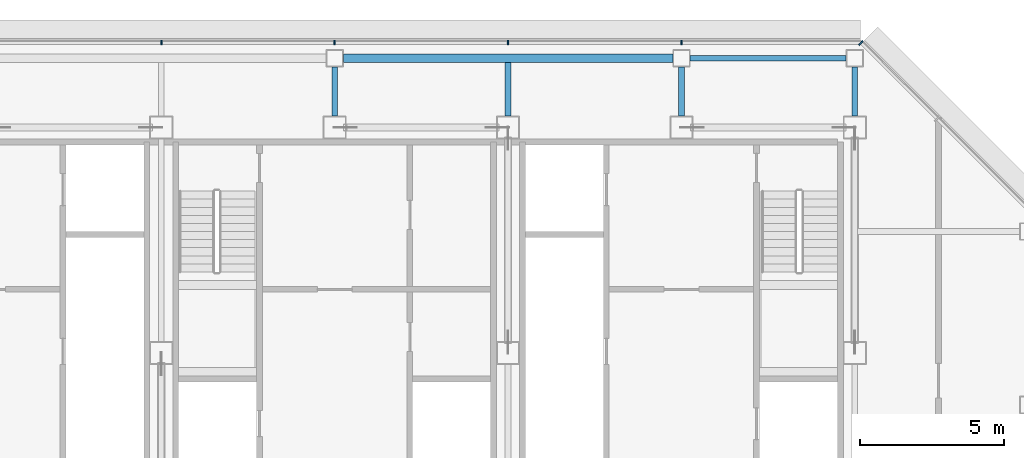
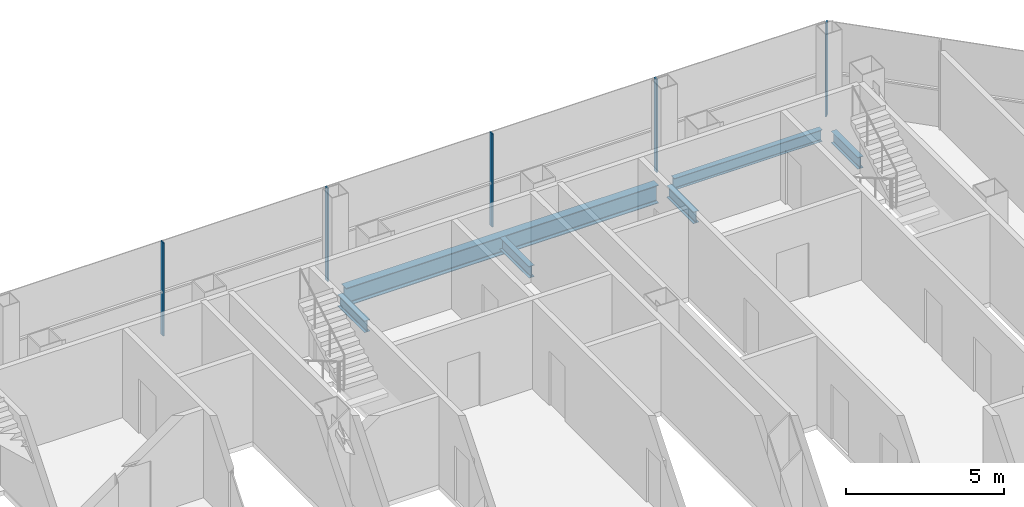
# One storey, part 15 of 27: 6 beams, 5 members, 2 elements without a shape of their own.
"""IFC4 building model written with IfcOpenShell, lengths in metres."""

from ifc_helpers import new_model, si_unit, direction, frame, origin, origin_2d, place, context, subcontext, project, spatial, rectangle, i_section, extrude, material, material_profile, profile_set, type_object, element, aggregate, save


model = new_model("IFC4")

# Units and contexts
model_context = context("Model", 3, precision=1e-05, world=origin(), true_north=direction((0.0, 1.0)))
body_context = subcontext(model_context, "Body", "Model", "MODEL_VIEW")
ifc_project = project(units=[si_unit("LENGTHUNIT", "METRE"), si_unit("AREAUNIT", "SQUARE_METRE"), si_unit("VOLUMEUNIT", "CUBIC_METRE"), si_unit("PLANEANGLEUNIT", "RADIAN"), si_unit("MASSUNIT", "GRAM", prefix="KILO")], contexts=[model_context])

# Site, building, storey
site_placement = place(None, origin())
site = spatial("IfcSite", under=ifc_project, at=site_placement, CompositionType="ELEMENT")
building_placement = place(site_placement, origin())
building = spatial("IfcBuilding", under=site, at=building_placement, Name="Sorahane Residences", CompositionType="ELEMENT")
storey_placement = place(building_placement, frame((0.0, 0.0, 294.39990234375)))
storey = spatial("IfcBuildingStorey", under=building, at=storey_placement, Name="L69", CompositionType="ELEMENT", Elevation=294.39990234375)

# Curtain wall, members
ifc_material_1 = material(Name="Dark low-e glass and black anodised aluminium", Category="aluminium")
curtain_wall_type_1 = type_object("IfcCurtainWallType", Name="Curtain wall CW-1 Typical unitised wall", PredefinedType="NOTDEFINED", material=ifc_material_1)
curtain_wall_1_placement = place(storey_placement, origin())
curtain_wall_1 = element("IfcCurtainWall", 1, at=curtain_wall_1_placement, inside=storey, type_object=curtain_wall_type_1, Name="CW-1 curtain wall L69 N1", PredefinedType="NOTDEFINED")
ifc_material_2 = material(Name="Black anodised aluminium", Category="aluminium")
ifc_material_profile_1 = material_profile(ifc_material_2, rectangle(XDim=0.159912109375, YDim=0.050048828125, at=origin_2d()), Name="Curtain wall mullion CW-1 black anodised aluminium 50x160")
ifc_profile_set_1 = profile_set([ifc_material_profile_1], Name="Black anodised aluminium")
member_type_1 = type_object("IfcMemberType", Name="Curtain wall mullion CW-1 black anodised aluminium 50x160", PredefinedType="MULLION", material=ifc_profile_set_1)
member_1_placement = place(storey_placement, frame((36.0, 48.5400390625, -0.179931640625), z_axis=(0.0, 0.0, 1.0), x_axis=(0.0, 1.0, 0.0)))
member_1 = element("IfcMember", 2, at=member_1_placement, type_object=member_type_1, Name="CW-1 mullion L69 N1.2", PredefinedType="MULLION", context=body_context, shape_type="SweptSolid", body=[
    extrude(rectangle(XDim=0.159912109375, YDim=0.050048828125, at=origin_2d()), origin(), (0.0, 0.0, 1.0), 3.60009765625),
])
member_2_placement = place(storey_placement, frame((30.0, 48.5400390625, -0.179931640625), z_axis=(0.0, 0.0, 1.0), x_axis=(0.0, 1.0, 0.0)))
member_2 = element("IfcMember", 3, at=member_2_placement, type_object=member_type_1, Name="CW-1 mullion L69 N1.3", PredefinedType="MULLION", context=body_context, shape_type="SweptSolid", body=[
    extrude(rectangle(XDim=0.159912109375, YDim=0.050048828125, at=origin_2d()), origin(), (0.0, 0.0, 1.0), 3.60009765625),
])
member_3_placement = place(storey_placement, frame((24.0, 48.5400390625, -0.179931640625), z_axis=(0.0, 0.0, 1.0), x_axis=(0.0, 1.0, 0.0)))
member_3 = element("IfcMember", 4, at=member_3_placement, type_object=member_type_1, Name="CW-1 mullion L69 N1.4", PredefinedType="MULLION", context=body_context, shape_type="SweptSolid", body=[
    extrude(rectangle(XDim=0.159912109375, YDim=0.050048828125, at=origin_2d()), origin(), (0.0, 0.0, 1.0), 3.60009765625),
])
member_4_placement = place(storey_placement, frame((18.0, 48.5400390625, -0.179931640625), z_axis=(0.0, 0.0, 1.0), x_axis=(0.0, 1.0, 0.0)))
member_4 = element("IfcMember", 5, at=member_4_placement, type_object=member_type_1, Name="CW-1 mullion L69 N1.5", PredefinedType="MULLION", context=body_context, shape_type="SweptSolid", body=[
    extrude(rectangle(XDim=0.159912109375, YDim=0.050048828125, at=origin_2d()), origin(), (0.0, 0.0, 1.0), 3.60009765625),
])
aggregate(curtain_wall_1, [member_1, member_2, member_3, member_4])

# Curtain wall, member
ifc_material_3 = material(Name="Dark low-e glass and black anodised aluminium", Category="aluminium")
curtain_wall_type_2 = type_object("IfcCurtainWallType", Name="Curtain wall CW-2 Chamfer unitised wall", PredefinedType="NOTDEFINED", material=ifc_material_3)
curtain_wall_2_placement = place(storey_placement, origin())
curtain_wall_2 = element("IfcCurtainWall", 6, at=curtain_wall_2_placement, inside=storey, type_object=curtain_wall_type_2, Name="CW-2 curtain wall L69 NE1", PredefinedType="NOTDEFINED")
ifc_material_4 = material(Name="Black anodised aluminium", Category="aluminium")
ifc_material_profile_2 = material_profile(ifc_material_4, rectangle(XDim=0.199951171875, YDim=0.050048828125, at=origin_2d()), Name="Curtain wall mullion CW-2 black anodised aluminium 50x200")
ifc_profile_set_2 = profile_set([ifc_material_profile_2], Name="Black anodised aluminium")
member_type_2 = type_object("IfcMemberType", Name="Curtain wall mullion CW-2 black anodised aluminium 50x200", PredefinedType="MULLION", material=ifc_profile_set_2)
member_5_placement = place(storey_placement, frame((42.209716796875, 48.525634765625, -0.179931640625), z_axis=(0.0, 0.0, 1.0), x_axis=(0.707106781187, 0.707106781187, 0.0)))
member_5 = element("IfcMember", 7, at=member_5_placement, type_object=member_type_2, Name="CW-2 mullion L69 NE1.3", PredefinedType="MULLION", context=body_context, shape_type="SweptSolid", body=[
    extrude(rectangle(XDim=0.199951171875, YDim=0.050048828125, at=origin_2d()), origin(), (0.0, 0.0, 1.0), 3.60009765625),
])
aggregate(curtain_wall_2, [member_5])

# Beams
ifc_material_5 = material(Name="Steel Q355B", Category="steel")
ifc_material_profile_3 = material_profile(ifc_material_5, i_section(OverallWidth=0.199951171875, OverallDepth=0.449951171875, WebThickness=0.009033203125, FlangeThickness=0.013916015625, FilletRadius=0.02001953125, at=origin_2d()), Name="HN 450x200x9x14")
ifc_profile_set_3 = profile_set([ifc_material_profile_3], Name="Steel Q355B")
beam_type_1 = type_object("IfcBeamType", Name="Steel floor beam HN 450x200x9x14 Q355B", PredefinedType="BEAM", material=ifc_profile_set_3)
beam_1_placement = place(storey_placement, frame((36.300048828125, 48.0, -0.40478515625), z_axis=(1.0, 0.0, 0.0), x_axis=(0.0, 1.0, 0.0)))
element("IfcBeam", 8, at=beam_1_placement, inside=storey, type_object=beam_type_1, Name="Beam L69 019", PredefinedType="BEAM", context=body_context, shape_type="SweptSolid", body=[
    extrude(i_section(OverallWidth=0.199951171875, OverallDepth=0.449951171875, WebThickness=0.009033203125, FlangeThickness=0.013916015625, FilletRadius=0.02001953125, at=origin_2d()), origin(), (0.0, 0.0, 1.0), 5.39990234375),
])
beam_2_placement = place(storey_placement, frame((24.0, 46.0, -0.40478515625), z_axis=(0.0, 1.0, 0.0), x_axis=(-1.0, 0.0, 0.0)))
element("IfcBeam", 9, at=beam_2_placement, inside=storey, type_object=beam_type_1, Name="Beam L69 047", PredefinedType="BEAM", context=body_context, shape_type="SweptSolid", body=[
    extrude(i_section(OverallWidth=0.199951171875, OverallDepth=0.449951171875, WebThickness=0.009033203125, FlangeThickness=0.013916015625, FilletRadius=0.02001953125, at=origin_2d()), origin(), (0.0, 0.0, 1.0), 1.699951171875),
])
beam_3_placement = place(storey_placement, frame((30.0, 46.0, -0.40478515625), z_axis=(0.0, 1.0, 0.0), x_axis=(-1.0, 0.0, 0.0)))
element("IfcBeam", 10, at=beam_3_placement, inside=storey, type_object=beam_type_1, Name="Beam L69 053", PredefinedType="BEAM", context=body_context, shape_type="SweptSolid", body=[
    extrude(i_section(OverallWidth=0.199951171875, OverallDepth=0.449951171875, WebThickness=0.009033203125, FlangeThickness=0.013916015625, FilletRadius=0.02001953125, at=origin_2d()), origin(), (0.0, 0.0, 1.0), 1.85009765625),
])
for number, where, z_axis, x_axis, name in (
    (11, (36.0, 46.0, -0.40478515625), (0.0, 1.0, 0.0), (-1.0, 0.0, 0.0), "Beam L69 055"),
    (12, (42.0, 46.0, -0.40478515625), (0.0, 1.0, 0.0), (-1.0, 0.0, 0.0), "Beam L69 061"),
):
    element("IfcBeam", number, at=place(storey_placement, frame(where, z_axis=z_axis, x_axis=x_axis)), inside=storey, type_object=beam_type_1, Name=name, PredefinedType="BEAM", context=body_context, shape_type="SweptSolid", body=[
        extrude(i_section(OverallWidth=0.199951171875, OverallDepth=0.449951171875, WebThickness=0.009033203125, FlangeThickness=0.013916015625, FilletRadius=0.02001953125, at=origin_2d()), origin(), (0.0, 0.0, 1.0), 1.699951171875),
    ])
ifc_material_6 = material(Name="Steel Q355B", Category="steel")
ifc_material_profile_4 = material_profile(ifc_material_6, i_section(OverallWidth=0.300048828125, OverallDepth=0.699951171875, WebThickness=0.012939453125, FlangeThickness=0.02392578125, FilletRadius=0.028076171875, at=origin_2d()), Name="HN 700x300x13x24")
ifc_profile_set_4 = profile_set([ifc_material_profile_4], Name="Steel Q355B")
beam_type_2 = type_object("IfcBeamType", Name="Steel floor beam HN 700x300x13x24 Q355B", PredefinedType="BEAM", material=ifc_profile_set_4)
beam_4_placement = place(storey_placement, frame((24.300048828125, 48.0, -0.52978515625), z_axis=(1.0, 0.0, 0.0), x_axis=(0.0, 1.0, 0.0)))
element("IfcBeam", 13, at=beam_4_placement, inside=storey, type_object=beam_type_2, Name="Beam L69 018", PredefinedType="BEAM", context=body_context, shape_type="SweptSolid", body=[
    extrude(i_section(OverallWidth=0.300048828125, OverallDepth=0.699951171875, WebThickness=0.012939453125, FlangeThickness=0.02392578125, FilletRadius=0.028076171875, at=origin_2d()), origin(), (0.0, 0.0, 1.0), 11.39990234375),
])

save(model, "model.ifc")
